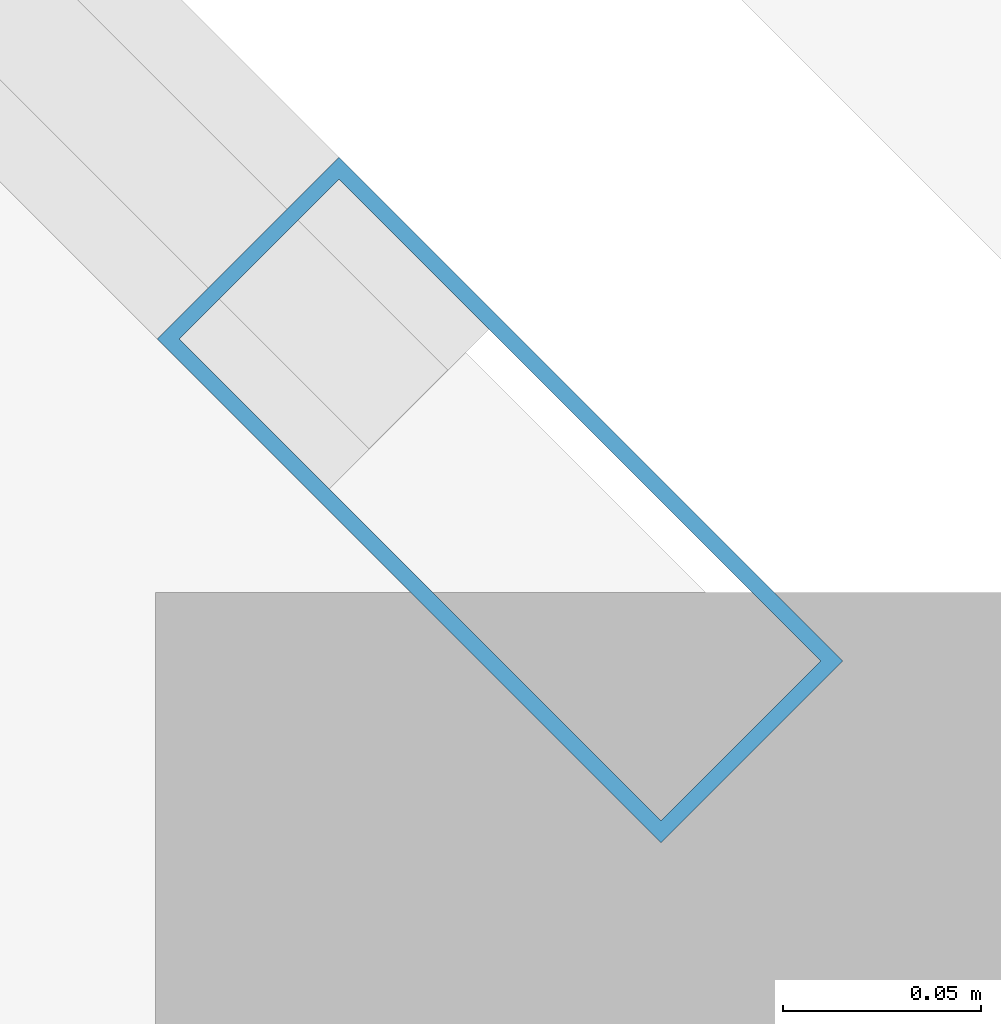
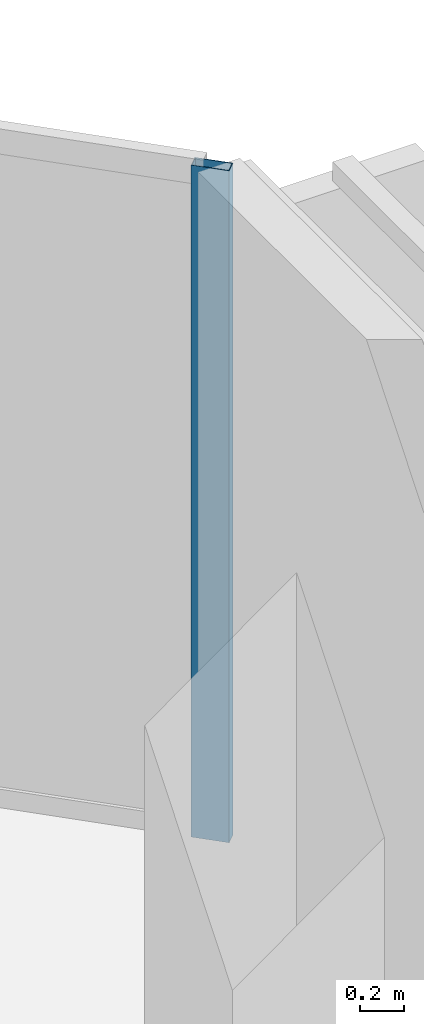
# One storey, part 17 of 26: 1 member, 1 element without a shape of its own.
"""IFC4 building model written with IfcOpenShell, lengths in metres."""

import ifcopenshell
import ifcopenshell.guid

model = None  # the IFC model being written
_history = None  # IfcOwnerHistory: only IFC2X3 demands one
_inside = {}  # id of a spatial element -> (the spatial element, [elements in it])
_under = {}  # id of a project, library or spatial element -> (it, [spatial elements below it])
_declared = {}  # id of a project -> (the project, [libraries it declares])
_typed = {}  # id of a type object -> (the type object, [elements of that type])
_made_of = {}  # id of a material, layer set ... -> (it, [elements and type objects made of it])


def new_model(schema):
    """Start an empty IFC model of exactly this schema.

    Asked for "IFC4X3", IfcOpenShell would pick the latest addendum, in which some entities
    have other attributes; the version numbers below select the first issue.
    IFC2X3 requires an IfcOwnerHistory on every rooted entity: one is made here for all.
    """
    global model, _history
    if schema == "IFC4X3":
        model = ifcopenshell.file(schema_version=(4, 3, 0, 0))
    else:
        model = ifcopenshell.file(schema=schema)
    _inside.clear()
    _under.clear()
    _declared.clear()
    _typed.clear()
    _made_of.clear()
    _history = None
    if model.schema == "IFC2X3":
        org = make("IfcOrganization", Name="unknown")
        user = make(
            "IfcPersonAndOrganization",
            ThePerson=make("IfcPerson", FamilyName="unknown"),
            TheOrganization=org,
        )
        app = make(
            "IfcApplication",
            ApplicationDeveloper=org,
            Version="unknown",
            ApplicationFullName="unknown",
            ApplicationIdentifier="unknown",
        )
        _history = make(
            "IfcOwnerHistory",
            OwningUser=user,
            OwningApplication=app,
            ChangeAction="ADDED",
            CreationDate=0,
        )
    return model


def make(cls, **values):
    """One entity of the class cls with the attributes given. An attribute that is None is left unset."""
    return model.create_entity(
        cls, **{name: value for name, value in values.items() if value is not None}
    )


def rooted(cls, **values):
    """An entity with a GlobalId (a new one), such as an element, a storey or a relation."""
    return make(cls, GlobalId=ifcopenshell.guid.new(), OwnerHistory=_history, **values)


def si_unit(unit_type, name, prefix=None):
    """IfcSIUnit, for example si_unit("LENGTHUNIT", "METRE", prefix="MILLI")."""
    return make("IfcSIUnit", UnitType=unit_type, Prefix=prefix, Name=name)


def assignment(units):
    """IfcUnitAssignment: the units of a project."""
    return None if units is None else make("IfcUnitAssignment", Units=units)


def point(xyz):
    """IfcCartesianPoint."""
    return None if xyz is None else make("IfcCartesianPoint", Coordinates=xyz)


def direction(xyz):
    """IfcDirection."""
    return None if xyz is None else make("IfcDirection", DirectionRatios=xyz)


def frame(location, z_axis=None, x_axis=None):
    """IfcAxis2Placement3D, a coordinate frame: its origin and axes. An axis left out is left unset."""
    return make(
        "IfcAxis2Placement3D",
        Location=point(location),
        Axis=direction(z_axis),
        RefDirection=direction(x_axis),
    )


def frame_2d(location, x_axis=None):
    """IfcAxis2Placement2D, a coordinate frame in the plane: its origin and x axis."""
    return make(
        "IfcAxis2Placement2D", Location=point(location), RefDirection=direction(x_axis)
    )


def origin():
    """The frame at (0, 0, 0) with its axes left unset."""
    return frame((0.0, 0.0, 0.0))


def origin_2d():
    """The frame at (0, 0) in the plane with its x axis left unset."""
    return frame_2d((0.0, 0.0))


def place(relative_to, where):
    """IfcLocalPlacement: puts the frame where relative to a parent placement (None: the world)."""
    return make(
        "IfcLocalPlacement", PlacementRelTo=relative_to, RelativePlacement=where
    )


def context(
    kind, dimensions, precision=None, world=None, true_north=None, identifier=None
):
    """IfcGeometricRepresentationContext, for example the 3D "Model" context."""
    return make(
        "IfcGeometricRepresentationContext",
        ContextIdentifier=identifier,
        ContextType=kind,
        CoordinateSpaceDimension=dimensions,
        Precision=precision,
        WorldCoordinateSystem=world,
        TrueNorth=true_north,
    )


def subcontext(parent, identifier, kind, view, scale=None):
    """IfcGeometricRepresentationSubContext, for example "Body" below "Model"."""
    return make(
        "IfcGeometricRepresentationSubContext",
        ContextIdentifier=identifier,
        ContextType=kind,
        ParentContext=parent,
        TargetScale=scale,
        TargetView=view,
    )


def project(units=None, contexts=None):
    """IfcProject with its units and contexts."""
    return rooted(
        "IfcProject",
        Name="project",
        RepresentationContexts=contexts,
        UnitsInContext=assignment(units),
    )


def spatial(cls, under=None, at=None, **own):
    """A site, building, storey or space (cls), placed at a placement, below another one or the project."""
    s = rooted(cls, ObjectPlacement=at, **own)
    if under is not None:
        _under.setdefault(under.id(), (under, []))[1].append(s)
    return s


def profile(cls, at=None, kind="AREA", **sizes):
    """A parametric profile (cls). Its sizes go by their IFC names, for example OverallWidth=200.0."""
    return make(cls, ProfileType=kind, Position=at, **sizes)


def hollow_rectangle(**sizes):
    """IfcRectangleHollowProfileDef."""
    return profile("IfcRectangleHollowProfileDef", **sizes)


def extrude(swept, where, along, depth):
    """IfcExtrudedAreaSolid: the profile swept, set in the frame where, extruded along a direction by depth."""
    return make(
        "IfcExtrudedAreaSolid",
        SweptArea=swept,
        Position=where,
        ExtrudedDirection=direction(along),
        Depth=depth,
    )


def shape(context_of_items, identifier, shape_type, items):
    """IfcShapeRepresentation: the items that make up one representation, for example the "Body"."""
    return make(
        "IfcShapeRepresentation",
        ContextOfItems=context_of_items,
        RepresentationIdentifier=identifier,
        RepresentationType=shape_type,
        Items=items,
    )


def material(Name=None, Category=None):
    """IfcMaterial."""
    return make("IfcMaterial", Name=Name, Category=Category)


def layer(
    of_material, thickness, ventilated=None, Name=None, Category=None, Priority=None
):
    """IfcMaterialLayer: one layer of a wall or slab, of a material (None: an air gap)."""
    return make(
        "IfcMaterialLayer",
        Material=of_material,
        LayerThickness=thickness,
        IsVentilated=ventilated,
        Name=Name,
        Category=Category,
        Priority=Priority,
    )


def layer_set(layers, Name=None):
    """IfcMaterialLayerSet."""
    return make("IfcMaterialLayerSet", MaterialLayers=layers, LayerSetName=Name)


def material_profile(
    of_material, cross_section, Name=None, Category=None, Priority=None
):
    """IfcMaterialProfile: a cross section and its material."""
    return make(
        "IfcMaterialProfile",
        Name=Name,
        Material=of_material,
        Profile=cross_section,
        Priority=Priority,
        Category=Category,
    )


def profile_set(profiles, Name=None, composite=None):
    """IfcMaterialProfileSet."""
    return make(
        "IfcMaterialProfileSet",
        Name=Name,
        MaterialProfiles=profiles,
        CompositeProfile=composite,
    )


def made_of(thing, what):
    """Note that an element or type object is made of a material, layer set ...; save() writes the relation."""
    if what is not None:
        _made_of.setdefault(what.id(), (what, []))[1].append(thing)
    return thing


def type_object(cls, material=None, **own):
    """A type object (cls), such as IfcWallType, which elements share."""
    return made_of(rooted(cls, **own), material)


def element(
    cls,
    number,
    at=None,
    inside=None,
    cuts=None,
    type_object=None,
    material=None,
    context=None,
    identifier="Body",
    shape_type=None,
    held_by="IfcProductDefinitionShape",
    body=None,
    shapes=None,
    **own,
):
    """One element of the class cls, such as IfcWall. Its Tag is "e" and its number.

    at: its placement. inside: the storey or other place that contains it. cuts: it is an
    opening in that element (IfcRelVoidsElement). A single representation is given by context,
    identifier, shape_type and body (its items); several are given by shapes. held_by: the class
    of the entity that holds the representations. save() writes the other relations.
    """
    e = rooted(cls, Tag="e%d" % number, ObjectPlacement=at, **own)
    if body is not None:
        shapes = [shape(context, identifier, shape_type, body)]
    if shapes is not None:
        e.Representation = make(held_by, Representations=shapes)
    if inside is not None:
        _inside.setdefault(inside.id(), (inside, []))[1].append(e)
    if cuts is not None:
        rooted(
            "IfcRelVoidsElement", RelatingBuildingElement=cuts, RelatedOpeningElement=e
        )
    if type_object is not None:
        _typed.setdefault(type_object.id(), (type_object, []))[1].append(e)
    return made_of(e, material)


def aggregate(whole, parts):
    """IfcRelAggregates: a whole, such as a stair, and the parts it consists of."""
    return rooted("IfcRelAggregates", RelatingObject=whole, RelatedObjects=parts)


def save(model, path):
    """Write the relations noted so far, then the file.

    IfcRelAggregates (storeys below a building ...), IfcRelContainedInSpatialStructure (elements
    in a storey), IfcRelDefinesByType, IfcRelAssociatesMaterial and IfcRelDeclares: one each for
    every whole, place, type object, material and project.
    """
    for whole, parts in _under.values():
        aggregate(whole, parts)
    for where, things in _inside.values():
        rooted(
            "IfcRelContainedInSpatialStructure",
            RelatedElements=things,
            RelatingStructure=where,
        )
    for kind, things in _typed.values():
        rooted("IfcRelDefinesByType", RelatedObjects=things, RelatingType=kind)
    for what, things in _made_of.values():
        rooted("IfcRelAssociatesMaterial", RelatedObjects=things, RelatingMaterial=what)
    for by, libraries in _declared.values():
        rooted("IfcRelDeclares", RelatingContext=by, RelatedDefinitions=libraries)
    model.write(path)


model = new_model("IFC4")

# Units and contexts
model_context = context("Model", 3, precision=1e-05, world=origin(), true_north=direction((0.0, 1.0)))
body_context = subcontext(model_context, "Body", "Model", "MODEL_VIEW")
ifc_project = project(units=[si_unit("LENGTHUNIT", "METRE"), si_unit("AREAUNIT", "SQUARE_METRE"), si_unit("VOLUMEUNIT", "CUBIC_METRE"), si_unit("PLANEANGLEUNIT", "RADIAN"), si_unit("MASSUNIT", "GRAM", prefix="KILO")], contexts=[model_context])

# Site, building, storey
site_placement = place(None, origin())
site = spatial("IfcSite", under=ifc_project, at=site_placement, CompositionType="ELEMENT")
building_placement = place(site_placement, origin())
building = spatial("IfcBuilding", under=site, at=building_placement, Name="Tanjung Sevakor Pilgrim Tower", CompositionType="ELEMENT")
storey_placement = place(building_placement, frame((0.0, 0.0, 177.8701171875)))
storey = spatial("IfcBuildingStorey", under=building, at=storey_placement, Name="L49", CompositionType="ELEMENT", Elevation=177.8701171875)

# Curtain wall, member
ifc_material_1 = material(Name="Aluminium 6063-T6 and Low-E Glass", Category="aluminium")
ifc_layer = layer(ifc_material_1, 0.179931640625)
ifc_layer_set = layer_set([ifc_layer], Name="CW-SYS-CHAM")
curtain_wall_type = type_object("IfcCurtainWallType", Name="CW-SYS-CHAM", PredefinedType="NOTDEFINED", material=ifc_layer_set)
curtain_wall_placement = place(storey_placement, origin())
curtain_wall = element("IfcCurtainWall", 1, at=curtain_wall_placement, inside=storey, type_object=curtain_wall_type, Name="L49 Curtain Wall CW-CHM-L49-MAIN-7", PredefinedType="NOTDEFINED")
ifc_material_2 = material(Name="Aluminium 6063-T6", Category="aluminium")
ifc_material_profile = material_profile(ifc_material_2, hollow_rectangle(XDim=0.06494140625, YDim=0.179931640625, WallThickness=0.00390625, at=origin_2d()))
ifc_profile_set = profile_set([ifc_material_profile], Name="Aluminium 6063-T6")
member_type = type_object("IfcMemberType", Name="TYPE-CWM-1", PredefinedType="MULLION", material=ifc_profile_set)
member_placement = place(storey_placement, frame((99.467041015625, 50.927490234375, 0.0), z_axis=(0.0, 0.0, 1.0), x_axis=(-0.707106781187, -0.707106781187, 0.0)))
member = element("IfcMember", 2, at=member_placement, type_object=member_type, Name="CW-CHM mullion 1", PredefinedType="MULLION", context=body_context, shape_type="SweptSolid", body=[
    extrude(hollow_rectangle(XDim=0.06494140625, YDim=0.179931640625, WallThickness=0.00390625, at=origin_2d()), origin(), (0.0, 0.0, 1.0), 3.739990234375),
])
aggregate(curtain_wall, [member])

save(model, "model.ifc")
